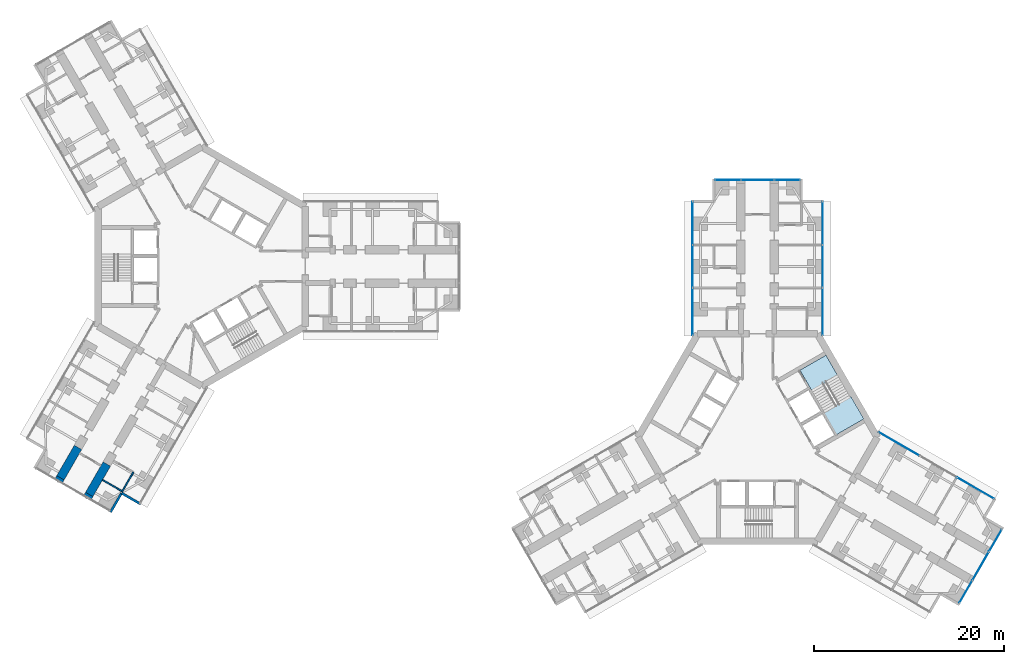
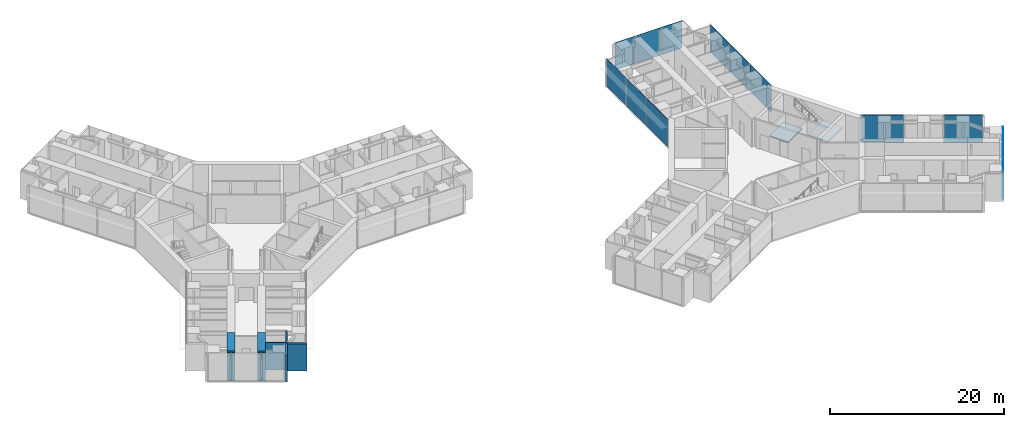
# One storey, part 15 of 24: 14 plates, 8 walls, 2 slabs, 6 elements without a shape of their own.
"""IFC4 building model written with IfcOpenShell, lengths in metres."""

from ifc_helpers import new_model, si_unit, direction, frame, frame_2d, origin, origin_2d, place, context, subcontext, project, spatial, polyline, rectangle, outline, extrude, material, layer, layer_set, type_object, element, aggregate, save


model = new_model("IFC4")

# Units and contexts
model_context = context("Model", 3, precision=1e-05, world=origin(), true_north=direction((0.0, 1.0)))
body_context = subcontext(model_context, "Body", "Model", "MODEL_VIEW")
ifc_project = project(units=[si_unit("LENGTHUNIT", "METRE"), si_unit("AREAUNIT", "SQUARE_METRE"), si_unit("VOLUMEUNIT", "CUBIC_METRE"), si_unit("PLANEANGLEUNIT", "RADIAN"), si_unit("MASSUNIT", "GRAM", prefix="KILO")], contexts=[model_context])

# Site, building, storey
site_placement = place(None, origin())
site = spatial("IfcSite", under=ifc_project, at=site_placement, CompositionType="ELEMENT")
building_placement = place(site_placement, origin())
building = spatial("IfcBuilding", under=site, at=building_placement, Name="Upepo Twin Towers", CompositionType="ELEMENT")
storey_placement = place(building_placement, frame((0.0, 0.0, 56.5)))
storey = spatial("IfcBuildingStorey", under=building, at=storey_placement, Name="L13", CompositionType="ELEMENT", Elevation=56.5)

# Curtain wall, plates
ifc_material_1 = material(Name="Aluminium and fritted glass", Category="aluminium")
curtain_wall_type = type_object("IfcCurtainWallType", Name="Tower curtain wall TW1, fritted glass", PredefinedType="NOTDEFINED", material=ifc_material_1)
curtain_wall_1_placement = place(storey_placement, origin())
curtain_wall_1 = element("IfcCurtainWall", 1, at=curtain_wall_1_placement, inside=storey, type_object=curtain_wall_type, Name="T2 L13 wing A flank L curtain wall", PredefinedType="NOTDEFINED")
ifc_material_2 = material(Name="Ceramic-fritted laminated glass", Category="glass")
ifc_layer_1 = layer(ifc_material_2, 0.031982421875)
ifc_layer_set_1 = layer_set([ifc_layer_1], Name="Fritted glass panel, 25 per cent dot frit, 32 mm double glazed")
plate_type_1 = type_object("IfcPlateType", Name="Fritted glass panel, 25 per cent dot frit, 32 mm double glazed", PredefinedType="CURTAIN_PANEL", material=ifc_layer_set_1)
plate_1_placement = place(storey_placement, frame((51.64990234375, -4.76513671875, 0.14990234375), z_axis=(0.0, 0.0, 1.0), x_axis=(0.0, 1.0, 0.0)))
plate_1 = element("IfcPlate", 2, at=plate_1_placement, type_object=plate_type_1, Name="T2 L13 wing A flank L curtain wall panel 1", PredefinedType="CURTAIN_PANEL", context=body_context, shape_type="SweptSolid", body=[
    extrude(rectangle(XDim=4.96533203125, YDim=0.031982421875, at=origin_2d()), origin(), (0.0, 0.0, 1.0), 3.85009765625),
])
plate_2_placement = place(storey_placement, frame((51.64990234375, 0.0, 0.14990234375), z_axis=(0.0, 0.0, 1.0), x_axis=(0.0, 1.0, 0.0)))
plate_2 = element("IfcPlate", 3, at=plate_2_placement, type_object=plate_type_1, Name="T2 L13 wing A flank L curtain wall panel 2", PredefinedType="CURTAIN_PANEL", context=body_context, shape_type="SweptSolid", body=[
    extrude(rectangle(XDim=4.43505859375, YDim=0.031982421875, at=origin_2d()), origin(), (0.0, 0.0, 1.0), 3.85009765625),
])
plate_3_placement = place(storey_placement, frame((51.64990234375, 4.53369140625, 0.14990234375), z_axis=(0.0, 0.0, 1.0), x_axis=(0.0, 1.0, 0.0)))
plate_3 = element("IfcPlate", 4, at=plate_3_placement, type_object=plate_type_1, Name="T2 L13 wing A flank L curtain wall panel 3", PredefinedType="CURTAIN_PANEL", context=body_context, shape_type="SweptSolid", body=[
    extrude(rectangle(XDim=4.50244140625, YDim=0.031982421875, at=origin_2d()), origin(), (0.0, 0.0, 1.0), 3.85009765625),
])
aggregate(curtain_wall_1, [plate_1, plate_2, plate_3])

curtain_wall_2_placement = place(storey_placement, origin())
curtain_wall_2 = element("IfcCurtainWall", 5, at=curtain_wall_2_placement, inside=storey, type_object=curtain_wall_type, Name="T2 L13 wing A flank R curtain wall", PredefinedType="NOTDEFINED")
plate_4_placement = place(storey_placement, frame((65.35009765625, 4.53369140625, 0.14990234375), z_axis=(0.0, 0.0, 1.0), x_axis=(0.0, -1.0, 0.0)))
plate_4 = element("IfcPlate", 6, at=plate_4_placement, type_object=plate_type_1, Name="T2 L13 wing A flank R curtain wall panel 1", PredefinedType="CURTAIN_PANEL", context=body_context, shape_type="SweptSolid", body=[
    extrude(rectangle(XDim=4.50244140625, YDim=0.031982421875, at=origin_2d()), origin(), (0.0, 0.0, 1.0), 3.85009765625),
])
plate_5_placement = place(storey_placement, frame((65.35009765625, 0.0, 0.14990234375), z_axis=(0.0, 0.0, 1.0), x_axis=(0.0, -1.0, 0.0)))
plate_5 = element("IfcPlate", 7, at=plate_5_placement, type_object=plate_type_1, Name="T2 L13 wing A flank R curtain wall panel 2", PredefinedType="CURTAIN_PANEL", context=body_context, shape_type="SweptSolid", body=[
    extrude(rectangle(XDim=4.43505859375, YDim=0.031982421875, at=origin_2d()), origin(), (0.0, 0.0, 1.0), 3.85009765625),
])
plate_6_placement = place(storey_placement, frame((65.35009765625, -4.76513671875, 0.14990234375), z_axis=(0.0, 0.0, 1.0), x_axis=(0.0, -1.0, 0.0)))
plate_6 = element("IfcPlate", 8, at=plate_6_placement, type_object=plate_type_1, Name="T2 L13 wing A flank R curtain wall panel 3", PredefinedType="CURTAIN_PANEL", context=body_context, shape_type="SweptSolid", body=[
    extrude(rectangle(XDim=4.96533203125, YDim=0.031982421875, at=origin_2d()), origin(), (0.0, 0.0, 1.0), 3.85009765625),
])
aggregate(curtain_wall_2, [plate_4, plate_5, plate_6])

# Curtain wall, plate
curtain_wall_3_placement = place(storey_placement, origin())
curtain_wall_3 = element("IfcCurtainWall", 9, at=curtain_wall_3_placement, inside=storey, type_object=curtain_wall_type, Name="T2 L13 wing A nose curtain wall", PredefinedType="NOTDEFINED")
plate_7_placement = place(storey_placement, frame((58.5, 9.10009765625, 0.14990234375), z_axis=(0.0, 0.0, 1.0), x_axis=(-1.0, 0.0, 0.0)))
plate_7 = element("IfcPlate", 10, at=plate_7_placement, type_object=plate_type_1, Name="T2 L13 wing A nose curtain wall panel 2", PredefinedType="CURTAIN_PANEL", context=body_context, shape_type="SweptSolid", body=[
    extrude(rectangle(XDim=3.43505859375, YDim=0.031982421875, at=origin_2d()), origin(), (0.0, 0.0, 1.0), 3.85009765625),
])

# Curtain wall, plates
curtain_wall_4_placement = place(storey_placement, origin())
curtain_wall_4 = element("IfcCurtainWall", 11, at=curtain_wall_4_placement, inside=storey, type_object=curtain_wall_type, Name="T2 L13 wing C flank L curtain wall", PredefinedType="NOTDEFINED")
plate_8_placement = place(storey_placement, frame((73.38671875, -18.68505859375, 0.14990234375), z_axis=(0.0, 0.0, 1.0), x_axis=(0.866025389682, -0.500000024426, 0.0)))
plate_8 = element("IfcPlate", 12, at=plate_8_placement, type_object=plate_type_1, Name="T2 L13 wing C flank L curtain wall panel 1", PredefinedType="CURTAIN_PANEL", context=body_context, shape_type="SweptSolid", body=[
    extrude(rectangle(XDim=4.96533203125, YDim=0.031982421875, at=origin_2d()), origin(), (0.0, 0.0, 1.0), 3.85009765625),
])
plate_9_placement = place(storey_placement, frame((81.439697265625, -23.334716796875, 0.14990234375), z_axis=(0.0, 0.0, 1.0), x_axis=(0.866025389682, -0.500000024426, 0.0)))
plate_9 = element("IfcPlate", 13, at=plate_9_placement, type_object=plate_type_1, Name="T2 L13 wing C flank L curtain wall panel 3", PredefinedType="CURTAIN_PANEL", context=body_context, shape_type="SweptSolid", body=[
    extrude(rectangle(XDim=4.50244140625, YDim=0.031982421875, at=origin_2d()), origin(), (0.0, 0.0, 1.0), 3.85009765625),
])
aggregate(curtain_wall_4, [plate_8, plate_9])

# Curtain wall, plate
curtain_wall_5_placement = place(storey_placement, origin())
curtain_wall_5 = element("IfcCurtainWall", 14, at=curtain_wall_5_placement, inside=storey, type_object=curtain_wall_type, Name="T2 L13 wing C nose curtain wall", PredefinedType="NOTDEFINED")
plate_10_placement = place(storey_placement, frame((81.96923828125, -31.550048828125, 0.14990234375), z_axis=(0.0, 0.0, 1.0), x_axis=(0.500000030502, 0.866025386174, 0.0)))
plate_10 = element("IfcPlate", 15, at=plate_10_placement, type_object=plate_type_1, Name="T2 L13 wing C nose curtain wall panel 2", PredefinedType="CURTAIN_PANEL", context=body_context, shape_type="SweptSolid", body=[
    extrude(rectangle(XDim=3.43505859375, YDim=0.031982421875, at=origin_2d()), origin(), (0.0, 0.0, 1.0), 3.85009765625),
])

# Plate
ifc_material_3 = material(Name="Clear laminated glass in opening sash", Category="glass")
ifc_layer_2 = layer(ifc_material_3, 0.031982421875)
ifc_layer_set_2 = layer_set([ifc_layer_2], Name="Operable glass panel, 32 mm double glazed")
plate_type_2 = type_object("IfcPlateType", Name="Operable glass panel, 32 mm double glazed", PredefinedType="CURTAIN_PANEL", material=ifc_layer_set_2)
plate_11_placement = place(storey_placement, frame((61.608642578125, 9.10009765625, 0.14990234375), z_axis=(0.0, 0.0, 1.0), x_axis=(-1.0, 0.0, 0.0)))
plate_11 = element("IfcPlate", 16, at=plate_11_placement, type_object=plate_type_2, Name="T2 L13 wing A nose curtain wall panel 1", PredefinedType="CURTAIN_PANEL", context=body_context, shape_type="SweptSolid", body=[
    extrude(rectangle(XDim=2.652587890625, YDim=0.031982421875, at=origin_2d()), origin(), (0.0, 0.0, 1.0), 3.85009765625),
])

plate_12_placement = place(storey_placement, frame((55.391357421875, 9.10009765625, 0.14990234375), z_axis=(0.0, 0.0, 1.0), x_axis=(-1.0, 0.0, 0.0)))
plate_12 = element("IfcPlate", 17, at=plate_12_placement, type_object=plate_type_2, Name="T2 L13 wing A nose curtain wall panel 3", PredefinedType="CURTAIN_PANEL", context=body_context, shape_type="SweptSolid", body=[
    extrude(rectangle(XDim=2.652587890625, YDim=0.031982421875, at=origin_2d()), origin(), (0.0, 0.0, 1.0), 3.85009765625),
])

aggregate(curtain_wall_3, [plate_11, plate_7, plate_12])

plate_13_placement = place(storey_placement, frame((80.414794921875, -34.2421875, 0.14990234375), z_axis=(0.0, 0.0, 1.0), x_axis=(0.500000030502, 0.866025386174, 0.0)))
plate_13 = element("IfcPlate", 18, at=plate_13_placement, type_object=plate_type_2, Name="T2 L13 wing C nose curtain wall panel 1", PredefinedType="CURTAIN_PANEL", context=body_context, shape_type="SweptSolid", body=[
    extrude(rectangle(XDim=2.652587890625, YDim=0.031982421875, at=origin_2d()), origin(), (0.0, 0.0, 1.0), 3.85009765625),
])

plate_14_placement = place(storey_placement, frame((83.523681640625, -28.857666015625, 0.14990234375), z_axis=(0.0, 0.0, 1.0), x_axis=(0.500000030502, 0.866025386174, 0.0)))
plate_14 = element("IfcPlate", 19, at=plate_14_placement, type_object=plate_type_2, Name="T2 L13 wing C nose curtain wall panel 3", PredefinedType="CURTAIN_PANEL", context=body_context, shape_type="SweptSolid", body=[
    extrude(rectangle(XDim=2.652587890625, YDim=0.031982421875, at=origin_2d()), origin(), (0.0, 0.0, 1.0), 3.85009765625),
])

aggregate(curtain_wall_5, [plate_13, plate_10, plate_14])

# Stair, slabs
ifc_material_4 = material(Name="Concrete C40/50", Category="concrete")
stair_type = type_object("IfcStairType", Name="Core stair, two flights", PredefinedType="HALF_TURN_STAIR", material=ifc_material_4)
stair_placement = place(storey_placement, origin())
stair = element("IfcStair", 20, at=stair_placement, inside=storey, type_object=stair_type, Name="T2 stair S2 L13", PredefinedType="HALF_TURN_STAIR")
ifc_material_5 = material(Name="Concrete C40/50", Category="concrete")
ifc_layer_3 = layer(ifc_material_5, 0.199951171875)
ifc_layer_set_3 = layer_set([ifc_layer_3], Name="Concrete C40/50")
slab_type = type_object("IfcSlabType", Name="Stair landing 200 RC", PredefinedType="LANDING", material=ifc_layer_set_3)
slab_1_placement = place(storey_placement, frame((0.0, 0.0, -0.199951171875)))
slab_1 = element("IfcSlab", 21, at=slab_1_placement, type_object=slab_type, Name="Stair S2 landing 1", PredefinedType="LANDING", context=body_context, shape_type="SweptSolid", body=[
    extrude(outline(polyline([(64.198486328125, -13.0703125), (66.933837890625, -11.490966796875), (65.69384765625, -9.34326171875), (62.95849609375, -10.922607421875), (64.198486328125, -13.0703125)])), origin(), (0.0, 0.0, 1.0), 0.199951171875),
])
slab_2_placement = place(storey_placement, frame((0.0, 0.0, 1.800048828125)))
slab_2 = element("IfcSlab", 22, at=slab_2_placement, type_object=slab_type, Name="Stair S2 landing 2", PredefinedType="LANDING", context=body_context, shape_type="SweptSolid", body=[
    extrude(outline(polyline([(66.77197265625, -17.7275390625), (69.680419921875, -16.04833984375), (68.3203125, -13.692626953125), (65.411865234375, -15.371826171875), (66.77197265625, -17.7275390625)])), origin(), (0.0, 0.0, 1.0), 0.199951171875),
])
aggregate(stair, [slab_1, slab_2])

# Walls
ifc_material_6 = material(Name="Dense concrete blockwork", Category="masonry")
ifc_layer_4 = layer(ifc_material_6, 0.89990234375)
ifc_layer_set_4 = layer_set([ifc_layer_4], Name="Buttress closer 900, blockwork with fire-stopping to the curtain wall")
wall_type_1 = type_object("IfcWallType", Name="Buttress closer 900, blockwork with fire-stopping to the curtain wall", PredefinedType="PARTITIONING", material=ifc_layer_set_4)
for number, where, z_axis, x_axis, name in (
    (23, (-11.83447265625, -23.997802734375, 0.0), (0.0, 0.0, 1.0), (-0.499949632511, -0.866054481515, 0.0), "T1 L13 wing C buttress closer L"),
    (24, (-14.865478515625, -22.247802734375, 0.0), (0.0, 0.0, 1.0), (-0.499949632511, -0.866054481515, 0.0), "T1 L13 wing C buttress closer R"),
):
    element("IfcWall", number, at=place(storey_placement, frame(where, z_axis=z_axis, x_axis=x_axis)), inside=storey, type_object=wall_type_1, Name=name, PredefinedType="PARTITIONING", context=body_context, shape_type="SweptSolid", body=[
        extrude(rectangle(XDim=0.31005859375, YDim=0.89990234375, at=frame_2d((0.155029296875, 0.0))), origin(), (0.0, 0.0, 1.0), 3.800048828125),
    ])
ifc_material_7 = material(Name="Concrete C60/75", Category="concrete")
ifc_layer_5 = layer(ifc_material_7, 0.89990234375)
ifc_layer_set_5 = layer_set([ifc_layer_5], Name="Concrete C60/75")
wall_type_2 = type_object("IfcWallType", Name="Buttress wall 900 RC", PredefinedType="SHEAR", material=ifc_layer_set_5)
wall_1_placement = place(storey_placement, frame((-9.984375, -20.793701171875, 0.0), z_axis=(0.0, 0.0, 1.0), x_axis=(-0.500042316284, -0.866000971088, 0.0)))
element("IfcWall", 25, at=wall_1_placement, inside=storey, type_object=wall_type_2, Name="T1 wing C buttress wall L part 3", PredefinedType="SHEAR", context=body_context, shape_type="SweptSolid", body=[
    extrude(rectangle(XDim=3.699951171875, YDim=0.89990234375, at=frame_2d((1.85009765625, 0.0))), origin(), (0.0, 0.0, 1.0), 4.0),
])
wall_2_placement = place(storey_placement, frame((-13.015625, -19.043701171875, 0.0), z_axis=(0.0, 0.0, 1.0), x_axis=(-0.499992827086, -0.866029545028, 0.0)))
element("IfcWall", 26, at=wall_2_placement, inside=storey, type_object=wall_type_2, Name="T1 wing C buttress wall R part 3", PredefinedType="SHEAR", context=body_context, shape_type="SweptSolid", body=[
    extrude(rectangle(XDim=3.69970703125, YDim=0.89990234375, at=frame_2d((1.849853515625, 0.0))), origin(), (0.0, 0.0, 1.0), 4.0),
])
ifc_material_8 = material(Name="Blockwork with anodised aluminium cladding", Category="masonry")
ifc_layer_6 = layer(ifc_material_8, 0.25)
ifc_layer_set_6 = layer_set([ifc_layer_6], Name="Notch cladding wall 250, pale metal")
wall_type_3 = type_object("IfcWallType", Name="Notch cladding wall 250, pale metal", PredefinedType="STANDARD", material=ifc_layer_set_6)
for number, where, z_axis, x_axis, name in (
    (27, (-6.418701171875, -25.017333984375, 0.0), (0.0, 0.0, 1.0), (-0.866043940782, 0.499967891604, 0.0), "T1 L13 wing C notch wall L1"),
    (28, (-8.43212890625, -23.85498046875, 0.0), (0.0, 0.0, 1.0), (-0.500046648681, -0.865998469481, 0.0), "T1 L13 wing C notch wall L2"),
):
    element("IfcWall", number, at=place(storey_placement, frame(where, z_axis=z_axis, x_axis=x_axis)), inside=storey, type_object=wall_type_3, Name=name, PredefinedType="STANDARD", context=body_context, shape_type="SweptSolid", body=[
        extrude(rectangle(XDim=2.324951171875, YDim=0.25, at=frame_2d((1.16259765625, 0.0))), origin(), (0.0, 0.0, 1.0), 3.800048828125),
    ])
ifc_material_9 = material(Name="Gypsum board on steel studs", Category="steel")
ifc_layer_7 = layer(ifc_material_9, 0.14990234375)
ifc_layer_set_7 = layer_set([ifc_layer_7], Name="Teaching partition 150 acoustic")
wall_type_4 = type_object("IfcWallType", Name="Teaching partition 150 acoustic", PredefinedType="PARTITIONING", material=ifc_layer_set_7)
for number, where, z_axis, x_axis, name in (
    (29, (-7.191162109375, -21.65576171875, 0.0), (0.0, 0.0, 1.0), (-0.500077600433, -0.865980596518, 0.0), "T1 inner room partition CL at 22.35"),
    (30, (-10.43212890625, -22.46923828125, 0.0), (0.0, 0.0, 1.0), (0.866024647952, -0.500001309137, 0.0), "T1 inner room partition CL end at 24.75"),
):
    element("IfcWall", number, at=place(storey_placement, frame(where, z_axis=z_axis, x_axis=x_axis)), inside=storey, type_object=wall_type_4, Name=name, PredefinedType="PARTITIONING", context=body_context, shape_type="SweptSolid", body=[
        extrude(rectangle(XDim=2.39990234375, YDim=0.14990234375, at=frame_2d((1.199951171875, 0.0))), origin(), (0.0, 0.0, 1.0), 3.800048828125),
    ])

save(model, "model.ifc")
